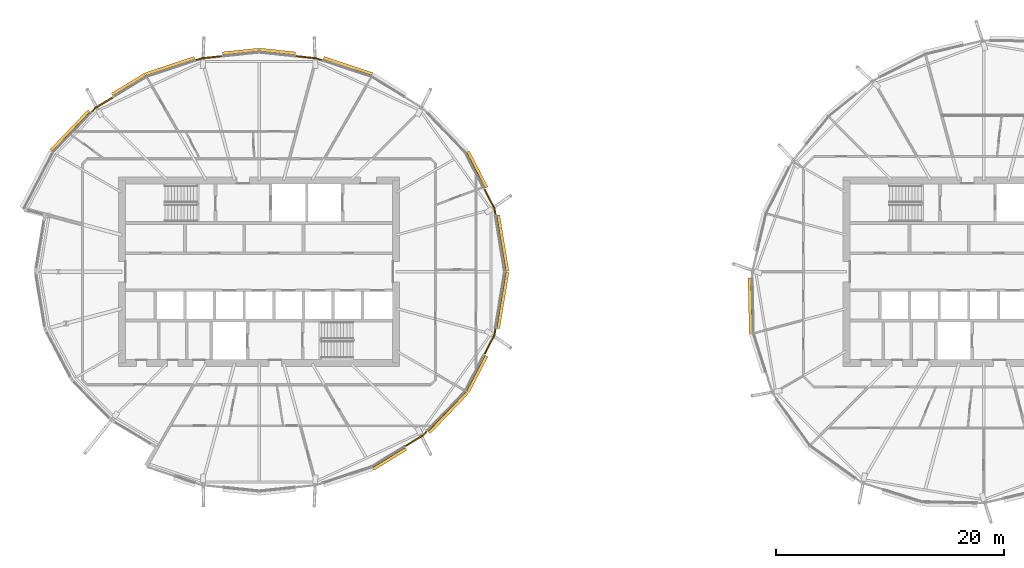
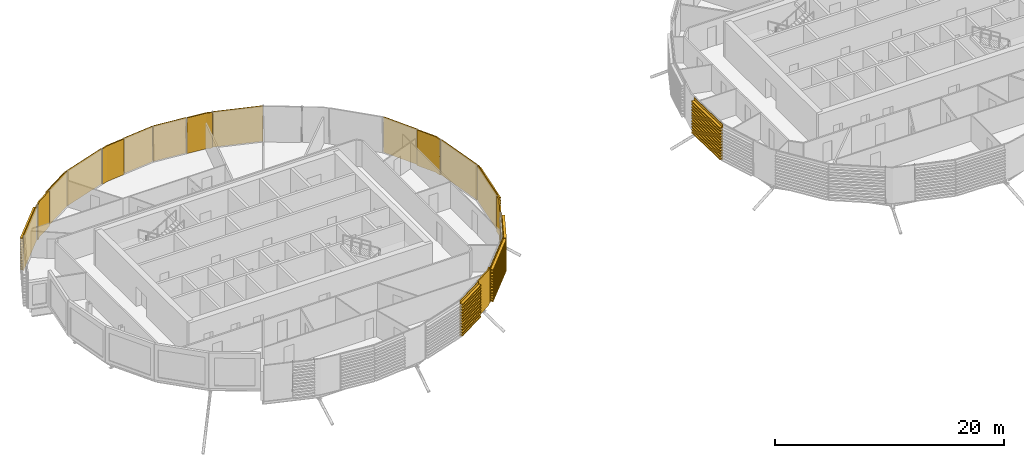
# One storey, part 32 of 35: 19 coverings.
"""IFC4 building model written with IfcOpenShell, lengths in metres."""

from ifc_helpers import new_model, si_unit, direction, frame, origin, place, context, subcontext, project, spatial, polyline, outline, extrude, material, layer, layer_set, material_profile, profile_set, type_object, element, save


model = new_model("IFC4")

# Units and contexts
model_context = context("Model", 3, precision=1e-05, world=origin(), true_north=direction((0.0, 1.0)))
body_context = subcontext(model_context, "Body", "Model", "MODEL_VIEW")
ifc_project = project(units=[si_unit("LENGTHUNIT", "METRE"), si_unit("AREAUNIT", "SQUARE_METRE"), si_unit("VOLUMEUNIT", "CUBIC_METRE"), si_unit("PLANEANGLEUNIT", "RADIAN"), si_unit("MASSUNIT", "GRAM", prefix="KILO")], contexts=[model_context])

# Site, building, storey
site_placement = place(None, origin())
site = spatial("IfcSite", under=ifc_project, at=site_placement, CompositionType="ELEMENT")
building_placement = place(site_placement, origin())
building = spatial("IfcBuilding", under=site, at=building_placement, Name="Rimbun Link Towers", CompositionType="ELEMENT")
storey_placement = place(building_placement, frame((0.0, 0.0, 196.89990234375)))
storey = spatial("IfcBuildingStorey", under=building, at=storey_placement, Name="L48", CompositionType="ELEMENT", Elevation=196.89990234375)

# Coverings
ifc_material_1 = material(Name="Terracotta", Category="masonry")
ifc_layer = layer(ifc_material_1, 0.1201171875)
ifc_layer_set = layer_set([ifc_layer], Name="LINK PIER terracotta cladding 120")
covering_type_1 = type_object("IfcCoveringType", Name="LINK PIER terracotta cladding 120", PredefinedType="CLADDING", material=ifc_layer_set)
covering_1_placement = place(storey_placement, origin())
element("IfcCovering", 1, at=covering_1_placement, inside=storey, type_object=covering_type_1, Name="LINK PIER cladding", PredefinedType="CLADDING", context=body_context, shape_type="SweptSolid", body=[
    extrude(outline(polyline([(-12.055419921875, 7.21875), (-11.173095703125, 5.513671875), (-11.08056640625, 4.951171875), (-10.962158203125, 4.970703125), (-11.057861328125, 5.5517578125), (-11.948974609375, 7.27392578125), (-12.055419921875, 7.21875)])), origin(), (0.0, 0.0, 1.0), 3.800048828125),
])
covering_2_placement = place(storey_placement, origin())
element("IfcCovering", 2, at=covering_2_placement, inside=storey, type_object=covering_type_1, Name="LINK PIER cladding", PredefinedType="CLADDING", context=body_context, shape_type="SweptSolid", body=[
    extrude(outline(polyline([(-28.561279296875, 18.845947265625), (-26.751220703125, 18.6552734375), (-26.210205078125, 18.475830078125), (-26.172607421875, 18.58984375), (-26.725830078125, 18.773193359375), (-28.548828125, 18.965087890625), (-28.561279296875, 18.845947265625)])), origin(), (0.0, 0.0, 1.0), 3.800048828125),
])
covering_3_placement = place(storey_placement, origin())
element("IfcCovering", 3, at=covering_3_placement, inside=storey, type_object=covering_type_1, Name="LINK PIER cladding", PredefinedType="CLADDING", context=body_context, shape_type="SweptSolid", body=[
    extrude(outline(polyline([(-37.289794921875, 18.475830078125), (-36.748779296875, 18.6552734375), (-34.938720703125, 18.845947265625), (-34.951171875, 18.965087890625), (-36.774169921875, 18.773193359375), (-37.327392578125, 18.58984375), (-37.289794921875, 18.475830078125)])), origin(), (0.0, 0.0, 1.0), 3.800048828125),
])
covering_4_placement = place(storey_placement, origin())
element("IfcCovering", 4, at=covering_4_placement, inside=storey, type_object=covering_type_1, Name="LINK PIER cladding", PredefinedType="CLADDING", context=body_context, shape_type="SweptSolid", body=[
    extrude(outline(polyline([(-46.418212890625, 13.93310546875), (-46.058349609375, 14.308349609375), (-44.50732421875, 15.2607421875), (-44.5703125, 15.363037109375), (-46.13427734375, 14.402587890625), (-46.5048828125, 14.01611328125), (-46.418212890625, 13.93310546875)])), origin(), (0.0, 0.0, 1.0), 3.800048828125),
])
covering_5_placement = place(storey_placement, origin())
element("IfcCovering", 5, at=covering_5_placement, inside=storey, type_object=covering_type_1, Name="LINK PIER cladding", PredefinedType="CLADDING", context=body_context, shape_type="SweptSolid", body=[
    extrude(outline(polyline([(-17.081787109375, -13.93310546875), (-17.441650390625, -14.308349609375), (-18.99267578125, -15.2607421875), (-18.9296875, -15.363037109375), (-17.36572265625, -14.402587890625), (-16.9951171875, -14.01611328125), (-17.081787109375, -13.93310546875)])), origin(), (0.0, 0.0, 1.0), 3.800048828125),
])
covering_6_placement = place(storey_placement, origin())
element("IfcCovering", 6, at=covering_6_placement, inside=storey, type_object=covering_type_1, Name="LINK PIER cladding", PredefinedType="CLADDING", context=body_context, shape_type="SweptSolid", body=[
    extrude(outline(polyline([(-11.08056640625, -4.951171875), (-11.173095703125, -5.513671875), (-12.055419921875, -7.21875), (-11.948974609375, -7.27392578125), (-11.057861328125, -5.5517578125), (-10.962158203125, -4.970703125), (-11.08056640625, -4.951171875)])), origin(), (0.0, 0.0, 1.0), 3.800048828125),
])
ifc_material_2 = material(Name="Terracotta", Category="masonry")
ifc_material_profile = material_profile(ifc_material_2, outline(polyline([(0.123046875, 0.0), (0.1630859375, 0.0), (0.1630859375, 0.10009765625), (0.423095703125, 0.10009765625), (0.423095703125, 0.219970703125), (0.1630859375, 0.219970703125), (0.1630859375, 0.39990234375), (0.423095703125, 0.39990234375), (0.423095703125, 0.52001953125), (0.1630859375, 0.52001953125), (0.1630859375, 0.699951171875), (0.423095703125, 0.699951171875), (0.423095703125, 0.820068359375), (0.1630859375, 0.820068359375), (0.1630859375, 1.0), (0.423095703125, 1.0), (0.423095703125, 1.1201171875), (0.1630859375, 1.1201171875), (0.1630859375, 1.300048828125), (0.423095703125, 1.300048828125), (0.423095703125, 1.419921875), (0.1630859375, 1.419921875), (0.1630859375, 1.60009765625), (0.423095703125, 1.60009765625), (0.423095703125, 1.719970703125), (0.1630859375, 1.719970703125), (0.1630859375, 1.89990234375), (0.423095703125, 1.89990234375), (0.423095703125, 2.02001953125), (0.1630859375, 2.02001953125), (0.1630859375, 2.199951171875), (0.423095703125, 2.199951171875), (0.423095703125, 2.320068359375), (0.1630859375, 2.320068359375), (0.1630859375, 2.5), (0.423095703125, 2.5), (0.423095703125, 2.6201171875), (0.1630859375, 2.6201171875), (0.1630859375, 2.800048828125), (0.423095703125, 2.800048828125), (0.423095703125, 2.919921875), (0.1630859375, 2.919921875), (0.1630859375, 3.10009765625), (0.423095703125, 3.10009765625), (0.423095703125, 3.219970703125), (0.1630859375, 3.219970703125), (0.1630859375, 3.39990234375), (0.423095703125, 3.39990234375), (0.423095703125, 3.52001953125), (0.1630859375, 3.52001953125), (0.1630859375, 3.800048828125), (0.123046875, 3.800048828125), (0.123046875, 0.0)])), Name="BAGUETTE 120X300")
ifc_profile_set = profile_set([ifc_material_profile], Name="Terracotta")
covering_type_2 = type_object("IfcCoveringType", Name="TERRACOTTA BAGUETTE 120X300 H3800", PredefinedType="CLADDING", material=ifc_profile_set)
covering_7_placement = place(storey_placement, frame((-11.07568359375, 4.921630859375, 0.0), z_axis=(0.162215740707, -0.986755315905, 0.0), x_axis=(0.986755315905, 0.162215740707, 0.0)))
element("IfcCovering", 7, at=covering_7_placement, inside=storey, type_object=covering_type_2, Name="TERRACOTTA BAGUETTE", PredefinedType="CLADDING", context=body_context, shape_type="SweptSolid", body=[
    extrude(outline(polyline([(0.123046875, 0.0), (0.1630859375, 0.0), (0.1630859375, 0.10009765625), (0.423095703125, 0.10009765625), (0.423095703125, 0.219970703125), (0.1630859375, 0.219970703125), (0.1630859375, 0.39990234375), (0.423095703125, 0.39990234375), (0.423095703125, 0.52001953125), (0.1630859375, 0.52001953125), (0.1630859375, 0.699951171875), (0.423095703125, 0.699951171875), (0.423095703125, 0.820068359375), (0.1630859375, 0.820068359375), (0.1630859375, 1.0), (0.423095703125, 1.0), (0.423095703125, 1.1201171875), (0.1630859375, 1.1201171875), (0.1630859375, 1.300048828125), (0.423095703125, 1.300048828125), (0.423095703125, 1.419921875), (0.1630859375, 1.419921875), (0.1630859375, 1.60009765625), (0.423095703125, 1.60009765625), (0.423095703125, 1.719970703125), (0.1630859375, 1.719970703125), (0.1630859375, 1.89990234375), (0.423095703125, 1.89990234375), (0.423095703125, 2.02001953125), (0.1630859375, 2.02001953125), (0.1630859375, 2.199951171875), (0.423095703125, 2.199951171875), (0.423095703125, 2.320068359375), (0.1630859375, 2.320068359375), (0.1630859375, 2.5), (0.423095703125, 2.5), (0.423095703125, 2.6201171875), (0.1630859375, 2.6201171875), (0.1630859375, 2.800048828125), (0.423095703125, 2.800048828125), (0.423095703125, 2.919921875), (0.1630859375, 2.919921875), (0.1630859375, 3.10009765625), (0.423095703125, 3.10009765625), (0.423095703125, 3.219970703125), (0.1630859375, 3.219970703125), (0.1630859375, 3.39990234375), (0.423095703125, 3.39990234375), (0.423095703125, 3.52001953125), (0.1630859375, 3.52001953125), (0.1630859375, 3.800048828125), (0.123046875, 3.800048828125), (0.123046875, 0.0)])), origin(), (0.0, 0.0, 1.0), 4.98779296875),
])
covering_8_placement = place(storey_placement, frame((-13.709716796875, 10.41552734375, 0.0), z_axis=(0.459564328239, -0.888144486111, 0.0), x_axis=(0.888144486111, 0.459564328239, 0.0)))
element("IfcCovering", 8, at=covering_8_placement, inside=storey, type_object=covering_type_2, Name="TERRACOTTA BAGUETTE", PredefinedType="CLADDING", context=body_context, shape_type="SweptSolid", body=[
    extrude(outline(polyline([(0.123046875, 0.0), (0.1630859375, 0.0), (0.1630859375, 0.10009765625), (0.423095703125, 0.10009765625), (0.423095703125, 0.219970703125), (0.1630859375, 0.219970703125), (0.1630859375, 0.39990234375), (0.423095703125, 0.39990234375), (0.423095703125, 0.52001953125), (0.1630859375, 0.52001953125), (0.1630859375, 0.699951171875), (0.423095703125, 0.699951171875), (0.423095703125, 0.820068359375), (0.1630859375, 0.820068359375), (0.1630859375, 1.0), (0.423095703125, 1.0), (0.423095703125, 1.1201171875), (0.1630859375, 1.1201171875), (0.1630859375, 1.300048828125), (0.423095703125, 1.300048828125), (0.423095703125, 1.419921875), (0.1630859375, 1.419921875), (0.1630859375, 1.60009765625), (0.423095703125, 1.60009765625), (0.423095703125, 1.719970703125), (0.1630859375, 1.719970703125), (0.1630859375, 1.89990234375), (0.423095703125, 1.89990234375), (0.423095703125, 2.02001953125), (0.1630859375, 2.02001953125), (0.1630859375, 2.199951171875), (0.423095703125, 2.199951171875), (0.423095703125, 2.320068359375), (0.1630859375, 2.320068359375), (0.1630859375, 2.5), (0.423095703125, 2.5), (0.423095703125, 2.6201171875), (0.1630859375, 2.6201171875), (0.1630859375, 2.800048828125), (0.423095703125, 2.800048828125), (0.423095703125, 2.919921875), (0.1630859375, 2.919921875), (0.1630859375, 3.10009765625), (0.423095703125, 3.10009765625), (0.423095703125, 3.219970703125), (0.1630859375, 3.219970703125), (0.1630859375, 3.39990234375), (0.423095703125, 3.39990234375), (0.423095703125, 3.52001953125), (0.1630859375, 3.52001953125), (0.1630859375, 3.800048828125), (0.123046875, 3.800048828125), (0.123046875, 0.0)])), origin(), (0.0, 0.0, 1.0), 3.5693359375),
])
covering_9_placement = place(storey_placement, frame((-26.181640625, 18.466552734375, 0.0), z_axis=(0.949234768601, -0.314568520484, 0.0), x_axis=(0.314568520484, 0.949234768601, 0.0)))
element("IfcCovering", 9, at=covering_9_placement, inside=storey, type_object=covering_type_2, Name="TERRACOTTA BAGUETTE", PredefinedType="CLADDING", context=body_context, shape_type="SweptSolid", body=[
    extrude(outline(polyline([(0.123046875, 0.0), (0.1630859375, 0.0), (0.1630859375, 0.10009765625), (0.423095703125, 0.10009765625), (0.423095703125, 0.219970703125), (0.1630859375, 0.219970703125), (0.1630859375, 0.39990234375), (0.423095703125, 0.39990234375), (0.423095703125, 0.52001953125), (0.1630859375, 0.52001953125), (0.1630859375, 0.699951171875), (0.423095703125, 0.699951171875), (0.423095703125, 0.820068359375), (0.1630859375, 0.820068359375), (0.1630859375, 1.0), (0.423095703125, 1.0), (0.423095703125, 1.1201171875), (0.1630859375, 1.1201171875), (0.1630859375, 1.300048828125), (0.423095703125, 1.300048828125), (0.423095703125, 1.419921875), (0.1630859375, 1.419921875), (0.1630859375, 1.60009765625), (0.423095703125, 1.60009765625), (0.423095703125, 1.719970703125), (0.1630859375, 1.719970703125), (0.1630859375, 1.89990234375), (0.423095703125, 1.89990234375), (0.423095703125, 2.02001953125), (0.1630859375, 2.02001953125), (0.1630859375, 2.199951171875), (0.423095703125, 2.199951171875), (0.423095703125, 2.320068359375), (0.1630859375, 2.320068359375), (0.1630859375, 2.5), (0.423095703125, 2.5), (0.423095703125, 2.6201171875), (0.1630859375, 2.6201171875), (0.1630859375, 2.800048828125), (0.423095703125, 2.800048828125), (0.423095703125, 2.919921875), (0.1630859375, 2.919921875), (0.1630859375, 3.10009765625), (0.423095703125, 3.10009765625), (0.423095703125, 3.219970703125), (0.1630859375, 3.219970703125), (0.1630859375, 3.39990234375), (0.423095703125, 3.39990234375), (0.423095703125, 3.52001953125), (0.1630859375, 3.52001953125), (0.1630859375, 3.800048828125), (0.123046875, 3.800048828125), (0.123046875, 0.0)])), origin(), (0.0, 0.0, 1.0), 4.503662109375),
])
for number, where, z_axis, x_axis, name in (
    (10, (-31.75, 19.181640625, 0.0), (0.994497448106, -0.104760802362, 0.0), (0.104760802362, 0.994497448106, 0.0), "TERRACOTTA BAGUETTE"),
    (11, (-34.908935546875, 18.848876953125, 0.0), (0.994497448106, 0.104760802362, 0.0), (-0.104760802362, 0.994497448106, 0.0), "TERRACOTTA BAGUETTE"),
):
    element("IfcCovering", number, at=place(storey_placement, frame(where, z_axis=z_axis, x_axis=x_axis)), inside=storey, type_object=covering_type_2, Name=name, PredefinedType="CLADDING", context=body_context, shape_type="SweptSolid", body=[
        extrude(outline(polyline([(0.123046875, 0.0), (0.1630859375, 0.0), (0.1630859375, 0.10009765625), (0.423095703125, 0.10009765625), (0.423095703125, 0.219970703125), (0.1630859375, 0.219970703125), (0.1630859375, 0.39990234375), (0.423095703125, 0.39990234375), (0.423095703125, 0.52001953125), (0.1630859375, 0.52001953125), (0.1630859375, 0.699951171875), (0.423095703125, 0.699951171875), (0.423095703125, 0.820068359375), (0.1630859375, 0.820068359375), (0.1630859375, 1.0), (0.423095703125, 1.0), (0.423095703125, 1.1201171875), (0.1630859375, 1.1201171875), (0.1630859375, 1.300048828125), (0.423095703125, 1.300048828125), (0.423095703125, 1.419921875), (0.1630859375, 1.419921875), (0.1630859375, 1.60009765625), (0.423095703125, 1.60009765625), (0.423095703125, 1.719970703125), (0.1630859375, 1.719970703125), (0.1630859375, 1.89990234375), (0.423095703125, 1.89990234375), (0.423095703125, 2.02001953125), (0.1630859375, 2.02001953125), (0.1630859375, 2.199951171875), (0.423095703125, 2.199951171875), (0.423095703125, 2.320068359375), (0.1630859375, 2.320068359375), (0.1630859375, 2.5), (0.423095703125, 2.5), (0.423095703125, 2.6201171875), (0.1630859375, 2.6201171875), (0.1630859375, 2.800048828125), (0.423095703125, 2.800048828125), (0.423095703125, 2.919921875), (0.1630859375, 2.919921875), (0.1630859375, 3.10009765625), (0.423095703125, 3.10009765625), (0.423095703125, 3.219970703125), (0.1630859375, 3.219970703125), (0.1630859375, 3.39990234375), (0.423095703125, 3.39990234375), (0.423095703125, 3.52001953125), (0.1630859375, 3.52001953125), (0.1630859375, 3.800048828125), (0.123046875, 3.800048828125), (0.123046875, 0.0)])), origin(), (0.0, 0.0, 1.0), 3.176513671875),
    ])
covering_10_placement = place(storey_placement, frame((-41.593505859375, 17.0498046875, 0.0), z_axis=(0.949234768601, 0.314568520484, 0.0), x_axis=(-0.314568520484, 0.949234768601, 0.0)))
element("IfcCovering", 12, at=covering_10_placement, inside=storey, type_object=covering_type_2, Name="TERRACOTTA BAGUETTE", PredefinedType="CLADDING", context=body_context, shape_type="SweptSolid", body=[
    extrude(outline(polyline([(0.123046875, 0.0), (0.1630859375, 0.0), (0.1630859375, 0.10009765625), (0.423095703125, 0.10009765625), (0.423095703125, 0.219970703125), (0.1630859375, 0.219970703125), (0.1630859375, 0.39990234375), (0.423095703125, 0.39990234375), (0.423095703125, 0.52001953125), (0.1630859375, 0.52001953125), (0.1630859375, 0.699951171875), (0.423095703125, 0.699951171875), (0.423095703125, 0.820068359375), (0.1630859375, 0.820068359375), (0.1630859375, 1.0), (0.423095703125, 1.0), (0.423095703125, 1.1201171875), (0.1630859375, 1.1201171875), (0.1630859375, 1.300048828125), (0.423095703125, 1.300048828125), (0.423095703125, 1.419921875), (0.1630859375, 1.419921875), (0.1630859375, 1.60009765625), (0.423095703125, 1.60009765625), (0.423095703125, 1.719970703125), (0.1630859375, 1.719970703125), (0.1630859375, 1.89990234375), (0.423095703125, 1.89990234375), (0.423095703125, 2.02001953125), (0.1630859375, 2.02001953125), (0.1630859375, 2.199951171875), (0.423095703125, 2.199951171875), (0.423095703125, 2.320068359375), (0.1630859375, 2.320068359375), (0.1630859375, 2.5), (0.423095703125, 2.5), (0.423095703125, 2.6201171875), (0.1630859375, 2.6201171875), (0.1630859375, 2.800048828125), (0.423095703125, 2.800048828125), (0.423095703125, 2.919921875), (0.1630859375, 2.919921875), (0.1630859375, 3.10009765625), (0.423095703125, 3.10009765625), (0.423095703125, 3.219970703125), (0.1630859375, 3.219970703125), (0.1630859375, 3.39990234375), (0.423095703125, 3.39990234375), (0.423095703125, 3.52001953125), (0.1630859375, 3.52001953125), (0.1630859375, 3.800048828125), (0.123046875, 3.800048828125), (0.123046875, 0.0)])), origin(), (0.0, 0.0, 1.0), 4.503662109375),
])
covering_11_placement = place(storey_placement, frame((-44.48193359375, 15.2763671875, 0.0), z_axis=(0.852192074263, 0.523229078476, 0.0), x_axis=(-0.523229078476, 0.852192074263, 0.0)))
element("IfcCovering", 13, at=covering_11_placement, inside=storey, type_object=covering_type_2, Name="TERRACOTTA BAGUETTE", PredefinedType="CLADDING", context=body_context, shape_type="SweptSolid", body=[
    extrude(outline(polyline([(0.123046875, 0.0), (0.1630859375, 0.0), (0.1630859375, 0.10009765625), (0.423095703125, 0.10009765625), (0.423095703125, 0.219970703125), (0.1630859375, 0.219970703125), (0.1630859375, 0.39990234375), (0.423095703125, 0.39990234375), (0.423095703125, 0.52001953125), (0.1630859375, 0.52001953125), (0.1630859375, 0.699951171875), (0.423095703125, 0.699951171875), (0.423095703125, 0.820068359375), (0.1630859375, 0.820068359375), (0.1630859375, 1.0), (0.423095703125, 1.0), (0.423095703125, 1.1201171875), (0.1630859375, 1.1201171875), (0.1630859375, 1.300048828125), (0.423095703125, 1.300048828125), (0.423095703125, 1.419921875), (0.1630859375, 1.419921875), (0.1630859375, 1.60009765625), (0.423095703125, 1.60009765625), (0.423095703125, 1.719970703125), (0.1630859375, 1.719970703125), (0.1630859375, 1.89990234375), (0.423095703125, 1.89990234375), (0.423095703125, 2.02001953125), (0.1630859375, 2.02001953125), (0.1630859375, 2.199951171875), (0.423095703125, 2.199951171875), (0.423095703125, 2.320068359375), (0.1630859375, 2.320068359375), (0.1630859375, 2.5), (0.423095703125, 2.5), (0.423095703125, 2.6201171875), (0.1630859375, 2.6201171875), (0.1630859375, 2.800048828125), (0.423095703125, 2.800048828125), (0.423095703125, 2.919921875), (0.1630859375, 2.919921875), (0.1630859375, 3.10009765625), (0.423095703125, 3.10009765625), (0.423095703125, 3.219970703125), (0.1630859375, 3.219970703125), (0.1630859375, 3.39990234375), (0.423095703125, 3.39990234375), (0.423095703125, 3.52001953125), (0.1630859375, 3.52001953125), (0.1630859375, 3.800048828125), (0.123046875, 3.800048828125), (0.123046875, 0.0)])), origin(), (0.0, 0.0, 1.0), 3.389404296875),
])
covering_12_placement = place(storey_placement, frame((-49.790283203125, 10.41552734375, 0.0), z_axis=(0.692026893446, 0.721871719039, 0.0), x_axis=(-0.721871719039, 0.692026893446, 0.0)))
element("IfcCovering", 14, at=covering_12_placement, inside=storey, type_object=covering_type_2, Name="TERRACOTTA BAGUETTE", PredefinedType="CLADDING", context=body_context, shape_type="SweptSolid", body=[
    extrude(outline(polyline([(0.123046875, 0.0), (0.1630859375, 0.0), (0.1630859375, 0.10009765625), (0.423095703125, 0.10009765625), (0.423095703125, 0.219970703125), (0.1630859375, 0.219970703125), (0.1630859375, 0.39990234375), (0.423095703125, 0.39990234375), (0.423095703125, 0.52001953125), (0.1630859375, 0.52001953125), (0.1630859375, 0.699951171875), (0.423095703125, 0.699951171875), (0.423095703125, 0.820068359375), (0.1630859375, 0.820068359375), (0.1630859375, 1.0), (0.423095703125, 1.0), (0.423095703125, 1.1201171875), (0.1630859375, 1.1201171875), (0.1630859375, 1.300048828125), (0.423095703125, 1.300048828125), (0.423095703125, 1.419921875), (0.1630859375, 1.419921875), (0.1630859375, 1.60009765625), (0.423095703125, 1.60009765625), (0.423095703125, 1.719970703125), (0.1630859375, 1.719970703125), (0.1630859375, 1.89990234375), (0.423095703125, 1.89990234375), (0.423095703125, 2.02001953125), (0.1630859375, 2.02001953125), (0.1630859375, 2.199951171875), (0.423095703125, 2.199951171875), (0.423095703125, 2.320068359375), (0.1630859375, 2.320068359375), (0.1630859375, 2.5), (0.423095703125, 2.5), (0.423095703125, 2.6201171875), (0.1630859375, 2.6201171875), (0.1630859375, 2.800048828125), (0.423095703125, 2.800048828125), (0.423095703125, 2.919921875), (0.1630859375, 2.919921875), (0.1630859375, 3.10009765625), (0.423095703125, 3.10009765625), (0.423095703125, 3.219970703125), (0.1630859375, 3.219970703125), (0.1630859375, 3.39990234375), (0.423095703125, 3.39990234375), (0.423095703125, 3.52001953125), (0.1630859375, 3.52001953125), (0.1630859375, 3.800048828125), (0.123046875, 3.800048828125), (0.123046875, 0.0)])), origin(), (0.0, 0.0, 1.0), 4.8427734375),
])
covering_13_placement = place(storey_placement, frame((-19.01806640625, -15.2763671875, 0.0), z_axis=(-0.852192074263, -0.523229078476, 0.0), x_axis=(0.523229078476, -0.852192074263, 0.0)))
element("IfcCovering", 15, at=covering_13_placement, inside=storey, type_object=covering_type_2, Name="TERRACOTTA BAGUETTE", PredefinedType="CLADDING", context=body_context, shape_type="SweptSolid", body=[
    extrude(outline(polyline([(0.123046875, 0.0), (0.1630859375, 0.0), (0.1630859375, 0.10009765625), (0.423095703125, 0.10009765625), (0.423095703125, 0.219970703125), (0.1630859375, 0.219970703125), (0.1630859375, 0.39990234375), (0.423095703125, 0.39990234375), (0.423095703125, 0.52001953125), (0.1630859375, 0.52001953125), (0.1630859375, 0.699951171875), (0.423095703125, 0.699951171875), (0.423095703125, 0.820068359375), (0.1630859375, 0.820068359375), (0.1630859375, 1.0), (0.423095703125, 1.0), (0.423095703125, 1.1201171875), (0.1630859375, 1.1201171875), (0.1630859375, 1.300048828125), (0.423095703125, 1.300048828125), (0.423095703125, 1.419921875), (0.1630859375, 1.419921875), (0.1630859375, 1.60009765625), (0.423095703125, 1.60009765625), (0.423095703125, 1.719970703125), (0.1630859375, 1.719970703125), (0.1630859375, 1.89990234375), (0.423095703125, 1.89990234375), (0.423095703125, 2.02001953125), (0.1630859375, 2.02001953125), (0.1630859375, 2.199951171875), (0.423095703125, 2.199951171875), (0.423095703125, 2.320068359375), (0.1630859375, 2.320068359375), (0.1630859375, 2.5), (0.423095703125, 2.5), (0.423095703125, 2.6201171875), (0.1630859375, 2.6201171875), (0.1630859375, 2.800048828125), (0.423095703125, 2.800048828125), (0.423095703125, 2.919921875), (0.1630859375, 2.919921875), (0.1630859375, 3.10009765625), (0.423095703125, 3.10009765625), (0.423095703125, 3.219970703125), (0.1630859375, 3.219970703125), (0.1630859375, 3.39990234375), (0.423095703125, 3.39990234375), (0.423095703125, 3.52001953125), (0.1630859375, 3.52001953125), (0.1630859375, 3.800048828125), (0.123046875, 3.800048828125), (0.123046875, 0.0)])), origin(), (0.0, 0.0, 1.0), 3.389404296875),
])
covering_14_placement = place(storey_placement, frame((-13.709716796875, -10.41552734375, 0.0), z_axis=(-0.692026893446, -0.721871719039, 0.0), x_axis=(0.721871719039, -0.692026893446, 0.0)))
element("IfcCovering", 16, at=covering_14_placement, inside=storey, type_object=covering_type_2, Name="TERRACOTTA BAGUETTE", PredefinedType="CLADDING", context=body_context, shape_type="SweptSolid", body=[
    extrude(outline(polyline([(0.123046875, 0.0), (0.1630859375, 0.0), (0.1630859375, 0.10009765625), (0.423095703125, 0.10009765625), (0.423095703125, 0.219970703125), (0.1630859375, 0.219970703125), (0.1630859375, 0.39990234375), (0.423095703125, 0.39990234375), (0.423095703125, 0.52001953125), (0.1630859375, 0.52001953125), (0.1630859375, 0.699951171875), (0.423095703125, 0.699951171875), (0.423095703125, 0.820068359375), (0.1630859375, 0.820068359375), (0.1630859375, 1.0), (0.423095703125, 1.0), (0.423095703125, 1.1201171875), (0.1630859375, 1.1201171875), (0.1630859375, 1.300048828125), (0.423095703125, 1.300048828125), (0.423095703125, 1.419921875), (0.1630859375, 1.419921875), (0.1630859375, 1.60009765625), (0.423095703125, 1.60009765625), (0.423095703125, 1.719970703125), (0.1630859375, 1.719970703125), (0.1630859375, 1.89990234375), (0.423095703125, 1.89990234375), (0.423095703125, 2.02001953125), (0.1630859375, 2.02001953125), (0.1630859375, 2.199951171875), (0.423095703125, 2.199951171875), (0.423095703125, 2.320068359375), (0.1630859375, 2.320068359375), (0.1630859375, 2.5), (0.423095703125, 2.5), (0.423095703125, 2.6201171875), (0.1630859375, 2.6201171875), (0.1630859375, 2.800048828125), (0.423095703125, 2.800048828125), (0.423095703125, 2.919921875), (0.1630859375, 2.919921875), (0.1630859375, 3.10009765625), (0.423095703125, 3.10009765625), (0.423095703125, 3.219970703125), (0.1630859375, 3.219970703125), (0.1630859375, 3.39990234375), (0.423095703125, 3.39990234375), (0.423095703125, 3.52001953125), (0.1630859375, 3.52001953125), (0.1630859375, 3.800048828125), (0.123046875, 3.800048828125), (0.123046875, 0.0)])), origin(), (0.0, 0.0, 1.0), 4.8427734375),
])
covering_15_placement = place(storey_placement, frame((-12.0693359375, -7.245361328125, 0.0), z_axis=(-0.459564328239, -0.888144486111, 0.0), x_axis=(0.888144486111, -0.459564328239, 0.0)))
element("IfcCovering", 17, at=covering_15_placement, inside=storey, type_object=covering_type_2, Name="TERRACOTTA BAGUETTE", PredefinedType="CLADDING", context=body_context, shape_type="SweptSolid", body=[
    extrude(outline(polyline([(0.123046875, 0.0), (0.1630859375, 0.0), (0.1630859375, 0.10009765625), (0.423095703125, 0.10009765625), (0.423095703125, 0.219970703125), (0.1630859375, 0.219970703125), (0.1630859375, 0.39990234375), (0.423095703125, 0.39990234375), (0.423095703125, 0.52001953125), (0.1630859375, 0.52001953125), (0.1630859375, 0.699951171875), (0.423095703125, 0.699951171875), (0.423095703125, 0.820068359375), (0.1630859375, 0.820068359375), (0.1630859375, 1.0), (0.423095703125, 1.0), (0.423095703125, 1.1201171875), (0.1630859375, 1.1201171875), (0.1630859375, 1.300048828125), (0.423095703125, 1.300048828125), (0.423095703125, 1.419921875), (0.1630859375, 1.419921875), (0.1630859375, 1.60009765625), (0.423095703125, 1.60009765625), (0.423095703125, 1.719970703125), (0.1630859375, 1.719970703125), (0.1630859375, 1.89990234375), (0.423095703125, 1.89990234375), (0.423095703125, 2.02001953125), (0.1630859375, 2.02001953125), (0.1630859375, 2.199951171875), (0.423095703125, 2.199951171875), (0.423095703125, 2.320068359375), (0.1630859375, 2.320068359375), (0.1630859375, 2.5), (0.423095703125, 2.5), (0.423095703125, 2.6201171875), (0.1630859375, 2.6201171875), (0.1630859375, 2.800048828125), (0.423095703125, 2.800048828125), (0.423095703125, 2.919921875), (0.1630859375, 2.919921875), (0.1630859375, 3.10009765625), (0.423095703125, 3.10009765625), (0.423095703125, 3.219970703125), (0.1630859375, 3.219970703125), (0.1630859375, 3.39990234375), (0.423095703125, 3.39990234375), (0.423095703125, 3.52001953125), (0.1630859375, 3.52001953125), (0.1630859375, 3.800048828125), (0.123046875, 3.800048828125), (0.123046875, 0.0)])), origin(), (0.0, 0.0, 1.0), 3.5693359375),
])
covering_16_placement = place(storey_placement, frame((-10.2666015625, 0.0, 0.0), z_axis=(-0.162215740707, -0.986755315905, 0.0), x_axis=(0.986755315905, -0.162215740707, 0.0)))
element("IfcCovering", 18, at=covering_16_placement, inside=storey, type_object=covering_type_2, Name="TERRACOTTA BAGUETTE", PredefinedType="CLADDING", context=body_context, shape_type="SweptSolid", body=[
    extrude(outline(polyline([(0.123046875, 0.0), (0.1630859375, 0.0), (0.1630859375, 0.10009765625), (0.423095703125, 0.10009765625), (0.423095703125, 0.219970703125), (0.1630859375, 0.219970703125), (0.1630859375, 0.39990234375), (0.423095703125, 0.39990234375), (0.423095703125, 0.52001953125), (0.1630859375, 0.52001953125), (0.1630859375, 0.699951171875), (0.423095703125, 0.699951171875), (0.423095703125, 0.820068359375), (0.1630859375, 0.820068359375), (0.1630859375, 1.0), (0.423095703125, 1.0), (0.423095703125, 1.1201171875), (0.1630859375, 1.1201171875), (0.1630859375, 1.300048828125), (0.423095703125, 1.300048828125), (0.423095703125, 1.419921875), (0.1630859375, 1.419921875), (0.1630859375, 1.60009765625), (0.423095703125, 1.60009765625), (0.423095703125, 1.719970703125), (0.1630859375, 1.719970703125), (0.1630859375, 1.89990234375), (0.423095703125, 1.89990234375), (0.423095703125, 2.02001953125), (0.1630859375, 2.02001953125), (0.1630859375, 2.199951171875), (0.423095703125, 2.199951171875), (0.423095703125, 2.320068359375), (0.1630859375, 2.320068359375), (0.1630859375, 2.5), (0.423095703125, 2.5), (0.423095703125, 2.6201171875), (0.1630859375, 2.6201171875), (0.1630859375, 2.800048828125), (0.423095703125, 2.800048828125), (0.423095703125, 2.919921875), (0.1630859375, 2.919921875), (0.1630859375, 3.10009765625), (0.423095703125, 3.10009765625), (0.423095703125, 3.219970703125), (0.1630859375, 3.219970703125), (0.1630859375, 3.39990234375), (0.423095703125, 3.39990234375), (0.423095703125, 3.52001953125), (0.1630859375, 3.52001953125), (0.1630859375, 3.800048828125), (0.123046875, 3.800048828125), (0.123046875, 0.0)])), origin(), (0.0, 0.0, 1.0), 4.98779296875),
])
covering_17_placement = place(storey_placement, frame((11.62841796875, -5.3916015625, 0.0), z_axis=(-0.021072367102, 0.99977795302, 0.0), x_axis=(-0.99977795302, -0.021072367102, 0.0)))
element("IfcCovering", 19, at=covering_17_placement, inside=storey, type_object=covering_type_2, Name="TERRACOTTA BAGUETTE", PredefinedType="CLADDING", context=body_context, shape_type="SweptSolid", body=[
    extrude(outline(polyline([(0.123046875, 0.0), (0.1630859375, 0.0), (0.1630859375, 0.10009765625), (0.423095703125, 0.10009765625), (0.423095703125, 0.219970703125), (0.1630859375, 0.219970703125), (0.1630859375, 0.39990234375), (0.423095703125, 0.39990234375), (0.423095703125, 0.52001953125), (0.1630859375, 0.52001953125), (0.1630859375, 0.699951171875), (0.423095703125, 0.699951171875), (0.423095703125, 0.820068359375), (0.1630859375, 0.820068359375), (0.1630859375, 1.0), (0.423095703125, 1.0), (0.423095703125, 1.1201171875), (0.1630859375, 1.1201171875), (0.1630859375, 1.300048828125), (0.423095703125, 1.300048828125), (0.423095703125, 1.419921875), (0.1630859375, 1.419921875), (0.1630859375, 1.60009765625), (0.423095703125, 1.60009765625), (0.423095703125, 1.719970703125), (0.1630859375, 1.719970703125), (0.1630859375, 1.89990234375), (0.423095703125, 1.89990234375), (0.423095703125, 2.02001953125), (0.1630859375, 2.02001953125), (0.1630859375, 2.199951171875), (0.423095703125, 2.199951171875), (0.423095703125, 2.320068359375), (0.1630859375, 2.320068359375), (0.1630859375, 2.5), (0.423095703125, 2.5), (0.423095703125, 2.6201171875), (0.1630859375, 2.6201171875), (0.1630859375, 2.800048828125), (0.423095703125, 2.800048828125), (0.423095703125, 2.919921875), (0.1630859375, 2.919921875), (0.1630859375, 3.10009765625), (0.423095703125, 3.10009765625), (0.423095703125, 3.219970703125), (0.1630859375, 3.219970703125), (0.1630859375, 3.39990234375), (0.423095703125, 3.39990234375), (0.423095703125, 3.52001953125), (0.1630859375, 3.52001953125), (0.1630859375, 3.800048828125), (0.123046875, 3.800048828125), (0.123046875, 0.0)])), origin(), (0.0, 0.0, 1.0), 4.8427734375),
])

save(model, "model.ifc")
